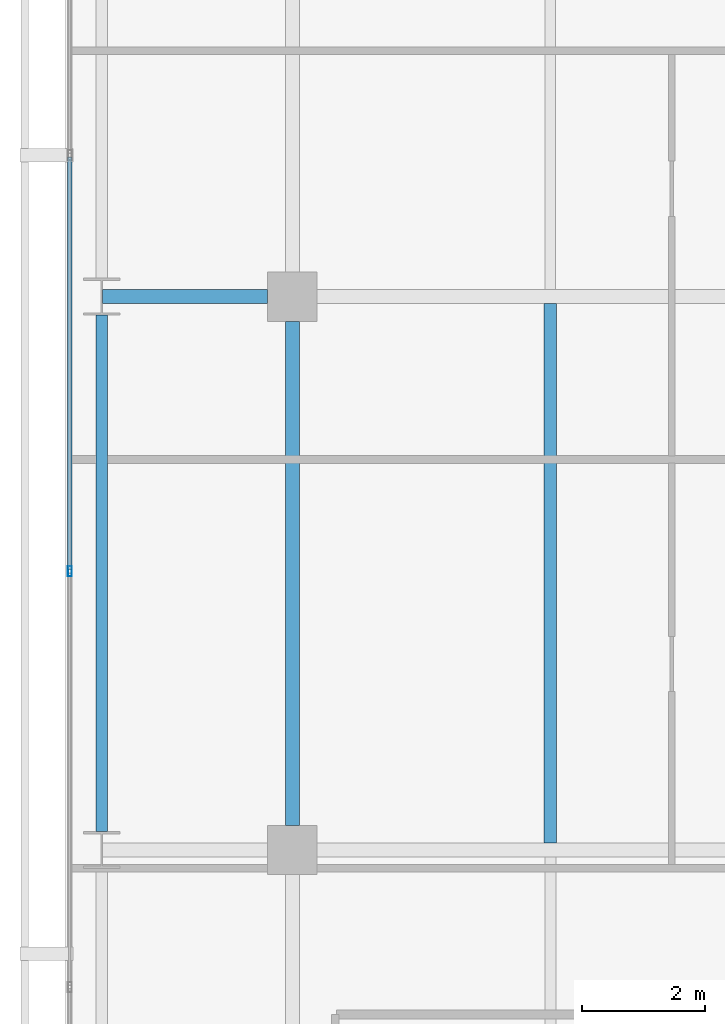
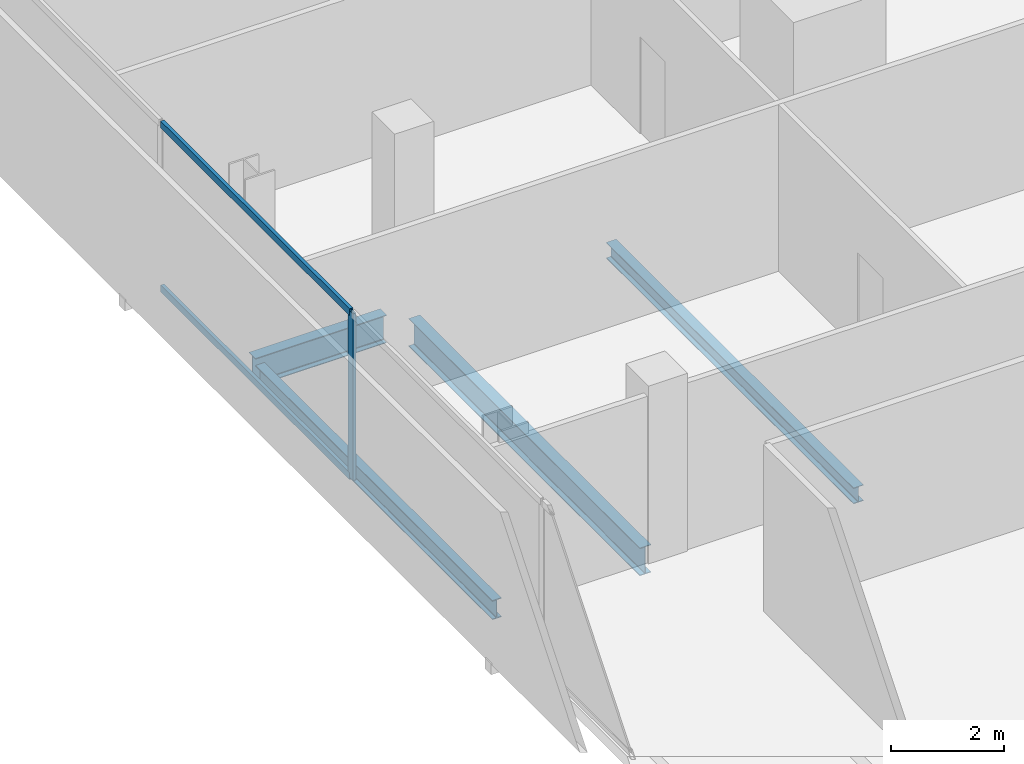
# One storey, part 8 of 32: 4 beams, 3 members, 1 element without a shape of its own.
"""IFC4 building model written with IfcOpenShell, lengths in metres."""

from ifc_helpers import new_model, si_unit, direction, frame, origin, origin_2d, place, context, subcontext, project, spatial, hollow_rectangle, i_section, extrude, material, layer, layer_set, material_profile, profile_set, type_object, element, aggregate, save


model = new_model("IFC4")

# Units and contexts
model_context = context("Model", 3, precision=1e-05, world=origin(), true_north=direction((0.0, 1.0)))
body_context = subcontext(model_context, "Body", "Model", "MODEL_VIEW")
ifc_project = project(units=[si_unit("LENGTHUNIT", "METRE"), si_unit("AREAUNIT", "SQUARE_METRE"), si_unit("VOLUMEUNIT", "CUBIC_METRE"), si_unit("PLANEANGLEUNIT", "RADIAN"), si_unit("MASSUNIT", "GRAM", prefix="KILO")], contexts=[model_context])

# Site, building, storey
site_placement = place(None, origin())
site = spatial("IfcSite", under=ifc_project, at=site_placement, CompositionType="ELEMENT")
building_placement = place(site_placement, origin())
building = spatial("IfcBuilding", under=site, at=building_placement, Name="Maruvema Waterfront Hotel and Observation Tower", CompositionType="ELEMENT")
storey_placement = place(building_placement, frame((0.0, 0.0, 162.050048828125)))
storey = spatial("IfcBuildingStorey", under=building, at=storey_placement, Name="L39", CompositionType="ELEMENT", Elevation=162.050048828125)

# Curtain wall, members
ifc_material_1 = material(Name="Anodised bronze aluminium and solar-control low-E IGU", Category="aluminium")
ifc_layer = layer(ifc_material_1, 0.159912109375, Name="Zone 2 Amber Inner Thermal Curtain Wall System CW-03")
ifc_layer_set = layer_set([ifc_layer], Name="Anodised bronze aluminium and solar-control low-E IGU")
curtain_wall_type = type_object("IfcCurtainWallType", Name="Zone 2 Amber Inner Thermal Curtain Wall System CW-03", PredefinedType="USERDEFINED", material=ifc_layer_set)
curtain_wall_placement = place(storey_placement, origin())
curtain_wall = element("IfcCurtainWall", 1, at=curtain_wall_placement, inside=storey, type_object=curtain_wall_type, Name="L39 Curtain Wall CW-L39-W", ObjectType="UNITISED CURTAIN WALL", PredefinedType="USERDEFINED")
ifc_material_2 = material(Name="Anodised architectural bronze aluminium", Category="aluminium")
ifc_material_profile_1 = material_profile(ifc_material_2, hollow_rectangle(XDim=0.070068359375, YDim=0.14990234375, WallThickness=0.00390625, at=origin_2d()), Name="ALU-T70x150")
ifc_profile_set_1 = profile_set([ifc_material_profile_1], Name="Anodised architectural bronze aluminium")
member_type_1 = type_object("IfcMemberType", Name="Curtain Wall Horizontal Transom ALU-T70x150", PredefinedType="USERDEFINED", material=ifc_profile_set_1)
member_1_placement = place(storey_placement, frame((13.179931640625, 29.27001953125, 0.030029296875), z_axis=(0.0, -1.0, 0.0), x_axis=(1.0, 0.0, 0.0)))
member_1 = element("IfcMember", 2, at=member_1_placement, type_object=member_type_1, Name="CW-03 transom 4.1", ObjectType="TRANSOM", PredefinedType="USERDEFINED", context=body_context, shape_type="SweptSolid", body=[
    extrude(hollow_rectangle(XDim=0.070068359375, YDim=0.14990234375, WallThickness=0.00390625, at=origin_2d()), origin(), (0.0, 0.0, 1.0), 6.706787109375),
])
member_2_placement = place(storey_placement, frame((13.179931640625, 29.27001953125, 3.579833984375), z_axis=(0.0, -1.0, 0.0), x_axis=(1.0, 0.0, 0.0)))
member_2 = element("IfcMember", 3, at=member_2_placement, type_object=member_type_1, Name="CW-03 transom 4.2", ObjectType="TRANSOM", PredefinedType="USERDEFINED", context=body_context, shape_type="SweptSolid", body=[
    extrude(hollow_rectangle(XDim=0.070068359375, YDim=0.14990234375, WallThickness=0.00390625, at=origin_2d()), origin(), (0.0, 0.0, 1.0), 6.706787109375),
])
ifc_material_3 = material(Name="Anodised architectural bronze aluminium", Category="aluminium")
ifc_material_profile_2 = material_profile(ifc_material_3, hollow_rectangle(XDim=0.06494140625, YDim=0.1650390625, WallThickness=0.00390625, at=origin_2d()), Name="ALU-M65x165")
ifc_profile_set_2 = profile_set([ifc_material_profile_2], Name="Anodised architectural bronze aluminium")
member_type_2 = type_object("IfcMemberType", Name="Curtain Wall Primary Mullion ALU-M65x165", PredefinedType="MULLION", material=ifc_profile_set_2)
member_3_placement = place(storey_placement, frame((13.179931640625, 22.533447265625, 0.0), z_axis=(0.0, 0.0, 1.0), x_axis=(1.0, 0.0, 0.0)))
member_3 = element("IfcMember", 4, at=member_3_placement, type_object=member_type_2, Name="CW-03 mullion 5", PredefinedType="MULLION", context=body_context, shape_type="SweptSolid", body=[
    extrude(hollow_rectangle(XDim=0.06494140625, YDim=0.1650390625, WallThickness=0.00390625, at=origin_2d()), origin(), (0.0, 0.0, 1.0), 3.60986328125),
])
aggregate(curtain_wall, [member_3, member_1, member_2])

# Beams
ifc_material_4 = material(Name="Steel ASTM A572 Grade 50", Category="steel")
ifc_material_profile_3 = material_profile(ifc_material_4, i_section(OverallWidth=0.180908203125, OverallDepth=0.4169921875, WebThickness=0.010986328125, FlangeThickness=0.018310546875, FilletRadius=0.014892578125, at=origin_2d()), Name="W410x85.0")
ifc_profile_set_3 = profile_set([ifc_material_profile_3], Name="Steel ASTM A572 Grade 50")
beam_type_1 = type_object("IfcBeamType", Name="Perimeter Spandrel Beam W410x85.0", PredefinedType="SPANDREL", material=ifc_profile_set_3)
beam_1_placement = place(storey_placement, frame((13.699951171875, 18.300048828125, -0.448486328125), z_axis=(0.0, 1.0, 0.0), x_axis=(-1.0, 0.0, 0.0)))
element("IfcBeam", 5, at=beam_1_placement, inside=storey, type_object=beam_type_1, Name="L39 Floor Girder NS-02", PredefinedType="SPANDREL", context=body_context, shape_type="SweptSolid", body=[
    extrude(i_section(OverallWidth=0.180908203125, OverallDepth=0.4169921875, WebThickness=0.010986328125, FlangeThickness=0.018310546875, FilletRadius=0.014892578125, at=origin_2d()), origin(), (0.0, 0.0, 1.0), 8.39990234375),
])
ifc_material_5 = material(Name="Steel ASTM A572 Grade 50", Category="steel")
ifc_material_profile_4 = material_profile(ifc_material_5, i_section(OverallWidth=0.22802734375, OverallDepth=0.60302734375, WebThickness=0.010498046875, FlangeThickness=0.014892578125, FilletRadius=0.01806640625, at=origin_2d()), Name="W610x101.0")
ifc_profile_set_4 = profile_set([ifc_material_profile_4], Name="Steel ASTM A572 Grade 50")
beam_type_2 = type_object("IfcBeamType", Name="Primary Floor Girder W610x101.0", PredefinedType="BEAM", material=ifc_profile_set_4)
beam_2_placement = place(storey_placement, frame((13.71240234375, 27.0, -0.54150390625), z_axis=(1.0, 0.0, 0.0), x_axis=(0.0, 1.0, 0.0)))
element("IfcBeam", 6, at=beam_2_placement, inside=storey, type_object=beam_type_2, Name="L39 Floor Girder EW-18", PredefinedType="BEAM", context=body_context, shape_type="SweptSolid", body=[
    extrude(i_section(OverallWidth=0.22802734375, OverallDepth=0.60302734375, WebThickness=0.010498046875, FlangeThickness=0.014892578125, FilletRadius=0.01806640625, at=origin_2d()), origin(), (0.0, 0.0, 1.0), 2.6875),
])
beam_3_placement = place(storey_placement, frame((16.800048828125, 18.39990234375, -0.54150390625), z_axis=(0.0, 1.0, 0.0), x_axis=(-1.0, 0.0, 0.0)))
element("IfcBeam", 7, at=beam_3_placement, inside=storey, type_object=beam_type_2, Name="L39 Floor Girder NS-06", PredefinedType="BEAM", context=body_context, shape_type="SweptSolid", body=[
    extrude(i_section(OverallWidth=0.22802734375, OverallDepth=0.60302734375, WebThickness=0.010498046875, FlangeThickness=0.014892578125, FilletRadius=0.01806640625, at=origin_2d()), origin(), (0.0, 0.0, 1.0), 8.2001953125),
])
ifc_material_6 = material(Name="Steel ASTM A572 Grade 50", Category="steel")
ifc_material_profile_5 = material_profile(ifc_material_6, i_section(OverallWidth=0.202880859375, OverallDepth=0.346923828125, WebThickness=0.0078125, FlangeThickness=0.013427734375, FilletRadius=0.014892578125, at=origin_2d()), Name="W360x64.0")
ifc_profile_set_5 = profile_set([ifc_material_profile_5], Name="Steel ASTM A572 Grade 50")
beam_type_3 = type_object("IfcBeamType", Name="Secondary Floor Joist W360x64.0", PredefinedType="JOIST", material=ifc_profile_set_5)
beam_4_placement = place(storey_placement, frame((21.0, 18.114013671875, -0.41357421875), z_axis=(0.0, 1.0, 0.0), x_axis=(-1.0, 0.0, 0.0)))
element("IfcBeam", 8, at=beam_4_placement, inside=storey, type_object=beam_type_3, Name="L39 Secondary Floor Joist JS-02", PredefinedType="JOIST", context=body_context, shape_type="SweptSolid", body=[
    extrude(i_section(OverallWidth=0.202880859375, OverallDepth=0.346923828125, WebThickness=0.0078125, FlangeThickness=0.013427734375, FilletRadius=0.014892578125, at=origin_2d()), origin(), (0.0, 0.0, 1.0), 8.77197265625),
])

save(model, "model.ifc")
